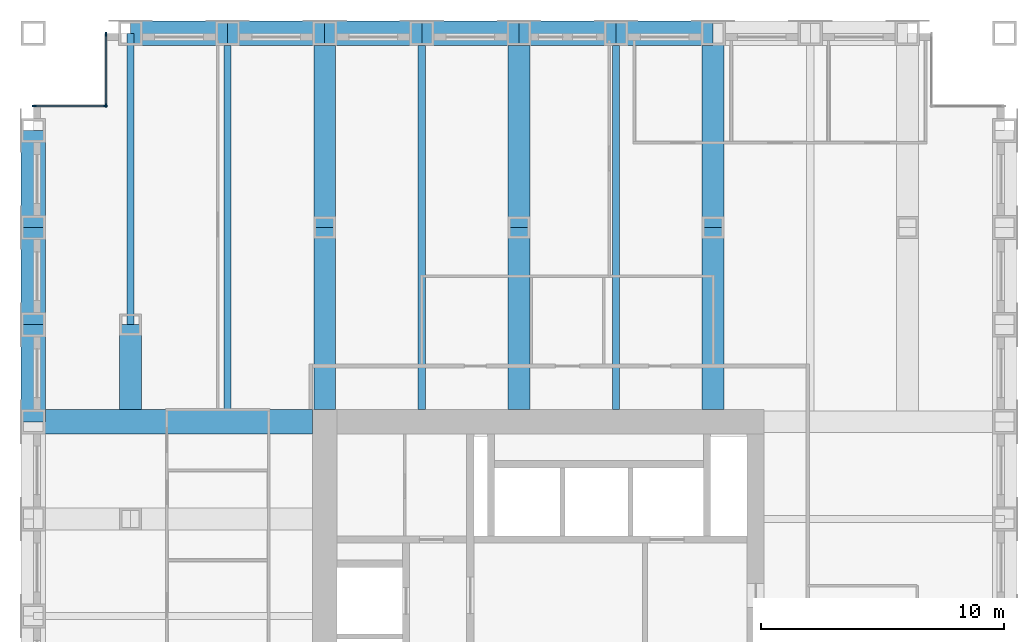
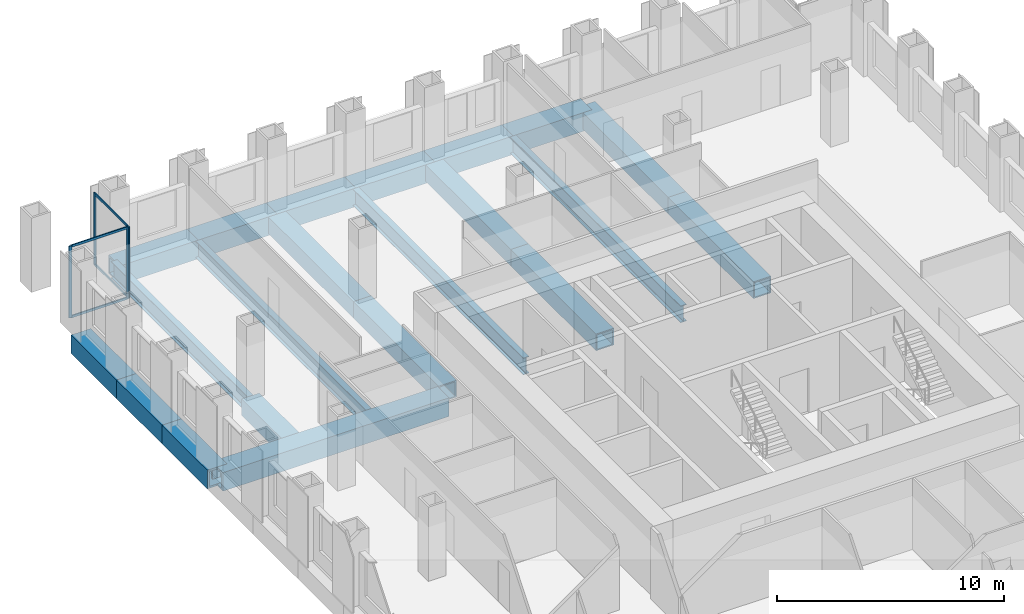
# One storey, part 5 of 12: 21 beams, 8 members, 2 elements without a shape of their own.
"""IFC4 building model written with IfcOpenShell, lengths in metres."""

from ifc_helpers import new_model, si_unit, direction, frame, origin, origin_2d, place, context, subcontext, project, spatial, rectangle, hollow_rectangle, i_section, extrude, material, material_profile, profile_set, type_object, element, aggregate, save


model = new_model("IFC4")

# Units and contexts
model_context = context("Model", 3, precision=1e-05, world=origin(), true_north=direction((0.0, 1.0)))
body_context = subcontext(model_context, "Body", "Model", "MODEL_VIEW")
ifc_project = project(units=[si_unit("LENGTHUNIT", "METRE"), si_unit("AREAUNIT", "SQUARE_METRE"), si_unit("VOLUMEUNIT", "CUBIC_METRE"), si_unit("PLANEANGLEUNIT", "RADIAN"), si_unit("MASSUNIT", "GRAM", prefix="KILO")], contexts=[model_context])

# Site, building, storey
site_placement = place(None, origin())
site = spatial("IfcSite", under=ifc_project, at=site_placement, CompositionType="ELEMENT")
building_placement = place(site_placement, origin())
building = spatial("IfcBuilding", under=site, at=building_placement, Name="Rimbunsela Tower", CompositionType="ELEMENT")
storey_placement = place(building_placement, frame((0.0, 0.0, 159.800048828125)))
storey = spatial("IfcBuildingStorey", under=building, at=storey_placement, Name="L38", CompositionType="ELEMENT", Elevation=159.800048828125)

# Beams
ifc_material_1 = material(Name="Steel BJ 55 (fy 410 MPa)", Category="steel")
ifc_material_profile_1 = material_profile(ifc_material_1, hollow_rectangle(XDim=1.0, YDim=1.0, WallThickness=0.10009765625, at=origin_2d()), Name="BOX 1000x1000x100")
ifc_profile_set_1 = profile_set([ifc_material_profile_1], Name="Steel BJ 55 (fy 410 MPa)")
beam_type_1 = type_object("IfcBeamType", Name="Beam BOX 1000x1000x100", PredefinedType="BEAM", material=ifc_profile_set_1)
beam_1_placement = place(storey_placement, frame((6.0, 36.0, -0.650146484375), z_axis=(0.0, 1.0, 0.0), x_axis=(-1.0, 0.0, 0.0)))
element("IfcBeam", 1, at=beam_1_placement, inside=storey, type_object=beam_type_1, Name="Beam B3 L38", PredefinedType="BEAM", context=body_context, shape_type="SweptSolid", body=[
    extrude(hollow_rectangle(XDim=1.0, YDim=1.0, WallThickness=0.10009765625, at=origin_2d()), origin(), (0.0, 0.0, 1.0), 4.0),
])
beam_2_placement = place(storey_placement, frame((6.0, 36.0, -0.650146484375), z_axis=(1.0, 0.0, 0.0), x_axis=(0.0, 1.0, 0.0)))
element("IfcBeam", 2, at=beam_2_placement, inside=storey, type_object=beam_type_1, Name="Beam B3 L38", PredefinedType="BEAM", context=body_context, shape_type="SweptSolid", body=[
    extrude(hollow_rectangle(XDim=1.0, YDim=1.0, WallThickness=0.10009765625, at=origin_2d()), origin(), (0.0, 0.0, 1.0), 11.5),
])
for number, where, z_axis, x_axis, name in (
    (3, (6.0, 40.0, -0.650146484375), (0.0, 1.0, 0.0), (-1.0, 0.0, 0.0), "Beam B3 L38"),
    (4, (6.0, 44.0, -0.650146484375), (0.0, 1.0, 0.0), (-1.0, 0.0, 0.0), "Beam B3 L38"),
    (5, (10.0, 52.0, -0.650146484375), (1.0, 0.0, 0.0), (0.0, 1.0, 0.0), "Beam B3 L38"),
    (6, (14.0, 52.0, -0.650146484375), (1.0, 0.0, 0.0), (0.0, 1.0, 0.0), "Beam B3 L38"),
    (7, (18.0, 52.0, -0.650146484375), (1.0, 0.0, 0.0), (0.0, 1.0, 0.0), "Beam B3 L38"),
    (8, (22.0, 52.0, -0.650146484375), (1.0, 0.0, 0.0), (0.0, 1.0, 0.0), "Beam B3 L38"),
    (9, (26.0, 52.0, -0.650146484375), (1.0, 0.0, 0.0), (0.0, 1.0, 0.0), "Beam B3 L38"),
    (10, (30.0, 52.0, -0.650146484375), (1.0, 0.0, 0.0), (0.0, 1.0, 0.0), "Beam B3 L38"),
):
    element("IfcBeam", number, at=place(storey_placement, frame(where, z_axis=z_axis, x_axis=x_axis)), inside=storey, type_object=beam_type_1, Name=name, PredefinedType="BEAM", context=body_context, shape_type="SweptSolid", body=[
        extrude(hollow_rectangle(XDim=1.0, YDim=1.0, WallThickness=0.10009765625, at=origin_2d()), origin(), (0.0, 0.0, 1.0), 4.0),
    ])
ifc_material_2 = material(Name="Steel BJ 55 (fy 410 MPa)", Category="steel")
ifc_material_profile_2 = material_profile(ifc_material_2, hollow_rectangle(XDim=0.89990234375, YDim=0.89990234375, WallThickness=0.06005859375, at=origin_2d()), Name="BOX 900x900x60")
ifc_profile_set_2 = profile_set([ifc_material_profile_2], Name="Steel BJ 55 (fy 410 MPa)")
beam_type_2 = type_object("IfcBeamType", Name="Beam BOX 900x900x60", PredefinedType="BEAM", material=ifc_profile_set_2)
beam_3_placement = place(storey_placement, frame((10.0, 36.5, -0.60009765625), z_axis=(0.0, 1.0, 0.0), x_axis=(-1.0, 0.0, 0.0)))
element("IfcBeam", 11, at=beam_3_placement, inside=storey, type_object=beam_type_2, Name="Beam B1 L38", PredefinedType="BEAM", context=body_context, shape_type="SweptSolid", body=[
    extrude(hollow_rectangle(XDim=0.89990234375, YDim=0.89990234375, WallThickness=0.06005859375, at=origin_2d()), origin(), (0.0, 0.0, 1.0), 3.5),
])
beam_4_placement = place(storey_placement, frame((18.0, 36.5, -0.60009765625), z_axis=(0.0, 1.0, 0.0), x_axis=(-1.0, 0.0, 0.0)))
element("IfcBeam", 12, at=beam_4_placement, inside=storey, type_object=beam_type_2, Name="Beam B1 L38", PredefinedType="BEAM", context=body_context, shape_type="SweptSolid", body=[
    extrude(hollow_rectangle(XDim=0.89990234375, YDim=0.89990234375, WallThickness=0.06005859375, at=origin_2d()), origin(), (0.0, 0.0, 1.0), 7.5),
])
beam_5_placement = place(storey_placement, frame((18.0, 44.0, -0.60009765625), z_axis=(0.0, 1.0, 0.0), x_axis=(-1.0, 0.0, 0.0)))
element("IfcBeam", 13, at=beam_5_placement, inside=storey, type_object=beam_type_2, Name="Beam B1 L38", PredefinedType="BEAM", context=body_context, shape_type="SweptSolid", body=[
    extrude(hollow_rectangle(XDim=0.89990234375, YDim=0.89990234375, WallThickness=0.06005859375, at=origin_2d()), origin(), (0.0, 0.0, 1.0), 8.0),
])
beam_6_placement = place(storey_placement, frame((26.0, 36.5, -0.60009765625), z_axis=(0.0, 1.0, 0.0), x_axis=(-1.0, 0.0, 0.0)))
element("IfcBeam", 14, at=beam_6_placement, inside=storey, type_object=beam_type_2, Name="Beam B1 L38", PredefinedType="BEAM", context=body_context, shape_type="SweptSolid", body=[
    extrude(hollow_rectangle(XDim=0.89990234375, YDim=0.89990234375, WallThickness=0.06005859375, at=origin_2d()), origin(), (0.0, 0.0, 1.0), 7.5),
])
beam_7_placement = place(storey_placement, frame((26.0, 44.0, -0.60009765625), z_axis=(0.0, 1.0, 0.0), x_axis=(-1.0, 0.0, 0.0)))
element("IfcBeam", 15, at=beam_7_placement, inside=storey, type_object=beam_type_2, Name="Beam B1 L38", PredefinedType="BEAM", context=body_context, shape_type="SweptSolid", body=[
    extrude(hollow_rectangle(XDim=0.89990234375, YDim=0.89990234375, WallThickness=0.06005859375, at=origin_2d()), origin(), (0.0, 0.0, 1.0), 8.0),
])
beam_8_placement = place(storey_placement, frame((34.0, 36.5, -0.60009765625), z_axis=(0.0, 1.0, 0.0), x_axis=(-1.0, 0.0, 0.0)))
element("IfcBeam", 16, at=beam_8_placement, inside=storey, type_object=beam_type_2, Name="Beam B1 L38", PredefinedType="BEAM", context=body_context, shape_type="SweptSolid", body=[
    extrude(hollow_rectangle(XDim=0.89990234375, YDim=0.89990234375, WallThickness=0.06005859375, at=origin_2d()), origin(), (0.0, 0.0, 1.0), 7.5),
])
beam_9_placement = place(storey_placement, frame((34.0, 44.0, -0.60009765625), z_axis=(0.0, 1.0, 0.0), x_axis=(-1.0, 0.0, 0.0)))
element("IfcBeam", 17, at=beam_9_placement, inside=storey, type_object=beam_type_2, Name="Beam B1 L38", PredefinedType="BEAM", context=body_context, shape_type="SweptSolid", body=[
    extrude(hollow_rectangle(XDim=0.89990234375, YDim=0.89990234375, WallThickness=0.06005859375, at=origin_2d()), origin(), (0.0, 0.0, 1.0), 8.0),
])
ifc_material_3 = material(Name="Steel BJ 55 (fy 410 MPa)", Category="steel")
ifc_material_profile_3 = material_profile(ifc_material_3, i_section(OverallWidth=0.300048828125, OverallDepth=0.89990234375, WebThickness=0.01611328125, FlangeThickness=0.028076171875, FilletRadius=0.028076171875, at=origin_2d()), Name="H 900x300x16x28")
ifc_profile_set_3 = profile_set([ifc_material_profile_3], Name="Steel BJ 55 (fy 410 MPa)")
beam_type_3 = type_object("IfcBeamType", Name="Beam H 900x300x16x28", PredefinedType="BEAM", material=ifc_profile_set_3)
beam_10_placement = place(storey_placement, frame((10.0, 40.0, -0.60009765625), z_axis=(0.0, 1.0, 0.0), x_axis=(-1.0, 0.0, 0.0)))
element("IfcBeam", 18, at=beam_10_placement, inside=storey, type_object=beam_type_3, Name="Beam B2 L38", PredefinedType="BEAM", context=body_context, shape_type="SweptSolid", body=[
    extrude(i_section(OverallWidth=0.300048828125, OverallDepth=0.89990234375, WebThickness=0.01611328125, FlangeThickness=0.028076171875, FilletRadius=0.028076171875, at=origin_2d()), origin(), (0.0, 0.0, 1.0), 12.0),
])
for number, where, z_axis, x_axis, name in (
    (19, (14.0, 36.5, -0.60009765625), (0.0, 1.0, 0.0), (-1.0, 0.0, 0.0), "Beam B2 L38"),
    (20, (22.0, 36.5, -0.60009765625), (0.0, 1.0, 0.0), (-1.0, 0.0, 0.0), "Beam B2 L38"),
    (21, (30.0, 36.5, -0.60009765625), (0.0, 1.0, 0.0), (-1.0, 0.0, 0.0), "Beam B2 L38"),
):
    element("IfcBeam", number, at=place(storey_placement, frame(where, z_axis=z_axis, x_axis=x_axis)), inside=storey, type_object=beam_type_3, Name=name, PredefinedType="BEAM", context=body_context, shape_type="SweptSolid", body=[
        extrude(i_section(OverallWidth=0.300048828125, OverallDepth=0.89990234375, WebThickness=0.01611328125, FlangeThickness=0.028076171875, FilletRadius=0.028076171875, at=origin_2d()), origin(), (0.0, 0.0, 1.0), 15.5),
    ])

# Curtain wall, members
ifc_material_4 = material(Name="Aluminium curtain wall", Category="aluminium")
curtain_wall_type = type_object("IfcCurtainWallType", Name="Corner glazing", PredefinedType="USERDEFINED", material=ifc_material_4)
curtain_wall_1_placement = place(storey_placement, origin())
curtain_wall_1 = element("IfcCurtainWall", 22, at=curtain_wall_1_placement, inside=storey, type_object=curtain_wall_type, Name="Corner glazing L38", ObjectType="CORNER GLAZING", PredefinedType="USERDEFINED")
ifc_material_5 = material(Name="Aluminium mullion", Category="aluminium")
ifc_material_profile_4 = material_profile(ifc_material_5, rectangle(XDim=0.06005859375, YDim=0.159912109375, at=origin_2d()), Name="Mullion 60x160")
ifc_profile_set_4 = profile_set([ifc_material_profile_4], Name="Aluminium mullion")
member_type_1 = type_object("IfcMemberType", Name="Curtain wall mullion 60x160", PredefinedType="MULLION", material=ifc_profile_set_4)
member_1_placement = place(storey_placement, frame((9.0, 51.969970703125, 0.0), z_axis=(0.0, 0.0, 1.0), x_axis=(1.0, 0.0, 0.0)))
member_1 = element("IfcMember", 23, at=member_1_placement, type_object=member_type_1, Name="CW5 mullion 1", PredefinedType="MULLION", context=body_context, shape_type="SweptSolid", body=[
    extrude(rectangle(XDim=0.06005859375, YDim=0.159912109375, at=origin_2d()), origin(), (0.0, 0.0, 1.0), 3.849853515625),
])
member_2_placement = place(storey_placement, frame((9.0, 49.030029296875, 0.0), z_axis=(0.0, 0.0, 1.0), x_axis=(1.0, 0.0, 0.0)))
member_2 = element("IfcMember", 24, at=member_2_placement, type_object=member_type_1, Name="CW5 mullion 2", PredefinedType="MULLION", context=body_context, shape_type="SweptSolid", body=[
    extrude(rectangle(XDim=0.06005859375, YDim=0.159912109375, at=origin_2d()), origin(), (0.0, 0.0, 1.0), 3.849853515625),
])

curtain_wall_2_placement = place(storey_placement, origin())
curtain_wall_2 = element("IfcCurtainWall", 25, at=curtain_wall_2_placement, inside=storey, type_object=curtain_wall_type, Name="Corner glazing L38", ObjectType="CORNER GLAZING", PredefinedType="USERDEFINED")
member_3_placement = place(storey_placement, frame((8.969970703125, 49.0, 0.0), z_axis=(0.0, 0.0, 1.0), x_axis=(0.0, -1.0, 0.0)))
member_3 = element("IfcMember", 26, at=member_3_placement, type_object=member_type_1, Name="CW5 mullion 1", PredefinedType="MULLION", context=body_context, shape_type="SweptSolid", body=[
    extrude(rectangle(XDim=0.06005859375, YDim=0.159912109375, at=origin_2d()), origin(), (0.0, 0.0, 1.0), 3.849853515625),
])
member_4_placement = place(storey_placement, frame((6.030029296875, 49.0, 0.0), z_axis=(0.0, 0.0, 1.0), x_axis=(0.0, -1.0, 0.0)))
member_4 = element("IfcMember", 27, at=member_4_placement, type_object=member_type_1, Name="CW5 mullion 2", PredefinedType="MULLION", context=body_context, shape_type="SweptSolid", body=[
    extrude(rectangle(XDim=0.06005859375, YDim=0.159912109375, at=origin_2d()), origin(), (0.0, 0.0, 1.0), 3.849853515625),
])

# Member
ifc_material_6 = material(Name="Aluminium transom", Category="aluminium")
ifc_material_profile_5 = material_profile(ifc_material_6, rectangle(XDim=0.06005859375, YDim=0.1201171875, at=origin_2d()), Name="Transom 60x120")
ifc_profile_set_5 = profile_set([ifc_material_profile_5], Name="Aluminium transom")
member_type_2 = type_object("IfcMemberType", Name="Curtain wall transom 60x120", PredefinedType="USERDEFINED", material=ifc_profile_set_5)
member_5_placement = place(storey_placement, frame((9.0, 51.93994140625, 0.030029296875), z_axis=(0.0, -1.0, 0.0), x_axis=(1.0, 0.0, 0.0)))
member_5 = element("IfcMember", 28, at=member_5_placement, type_object=member_type_2, Name="CW5 transom 1.1", ObjectType="TRANSOM", PredefinedType="USERDEFINED", context=body_context, shape_type="SweptSolid", body=[
    extrude(rectangle(XDim=0.06005859375, YDim=0.1201171875, at=origin_2d()), origin(), (0.0, 0.0, 1.0), 2.8798828125),
])

member_6_placement = place(storey_placement, frame((9.0, 51.93994140625, 3.820068359375), z_axis=(0.0, -1.0, 0.0), x_axis=(1.0, 0.0, 0.0)))
member_6 = element("IfcMember", 29, at=member_6_placement, type_object=member_type_2, Name="CW5 transom 1.2", ObjectType="TRANSOM", PredefinedType="USERDEFINED", context=body_context, shape_type="SweptSolid", body=[
    extrude(rectangle(XDim=0.06005859375, YDim=0.1201171875, at=origin_2d()), origin(), (0.0, 0.0, 1.0), 2.8798828125),
])

aggregate(curtain_wall_1, [member_1, member_2, member_5, member_6])

member_7_placement = place(storey_placement, frame((8.93994140625, 49.0, 0.030029296875), z_axis=(-1.0, 0.0, 0.0), x_axis=(0.0, -1.0, 0.0)))
member_7 = element("IfcMember", 30, at=member_7_placement, type_object=member_type_2, Name="CW5 transom 1.1", ObjectType="TRANSOM", PredefinedType="USERDEFINED", context=body_context, shape_type="SweptSolid", body=[
    extrude(rectangle(XDim=0.06005859375, YDim=0.1201171875, at=origin_2d()), origin(), (0.0, 0.0, 1.0), 2.8798828125),
])

member_8_placement = place(storey_placement, frame((8.93994140625, 49.0, 3.820068359375), z_axis=(-1.0, 0.0, 0.0), x_axis=(0.0, -1.0, 0.0)))
member_8 = element("IfcMember", 31, at=member_8_placement, type_object=member_type_2, Name="CW5 transom 1.2", ObjectType="TRANSOM", PredefinedType="USERDEFINED", context=body_context, shape_type="SweptSolid", body=[
    extrude(rectangle(XDim=0.06005859375, YDim=0.1201171875, at=origin_2d()), origin(), (0.0, 0.0, 1.0), 2.8798828125),
])

aggregate(curtain_wall_2, [member_3, member_4, member_7, member_8])

save(model, "model.ifc")
